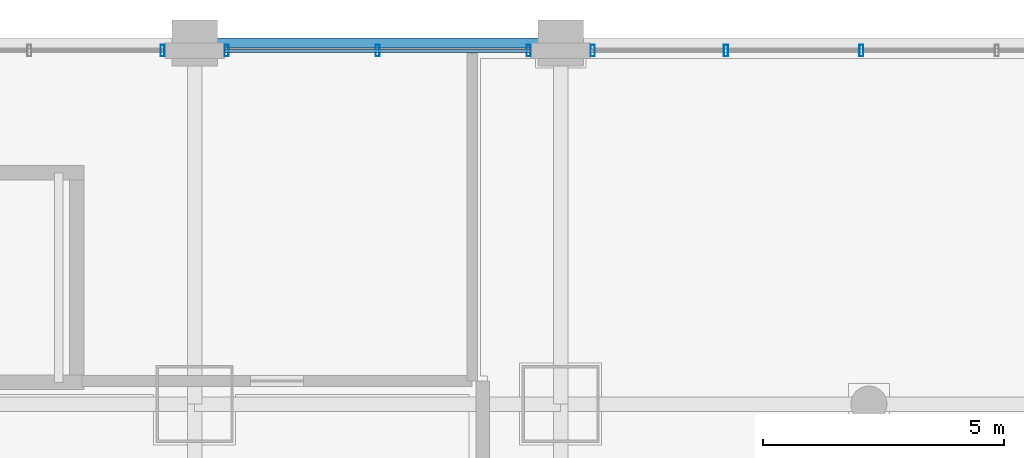
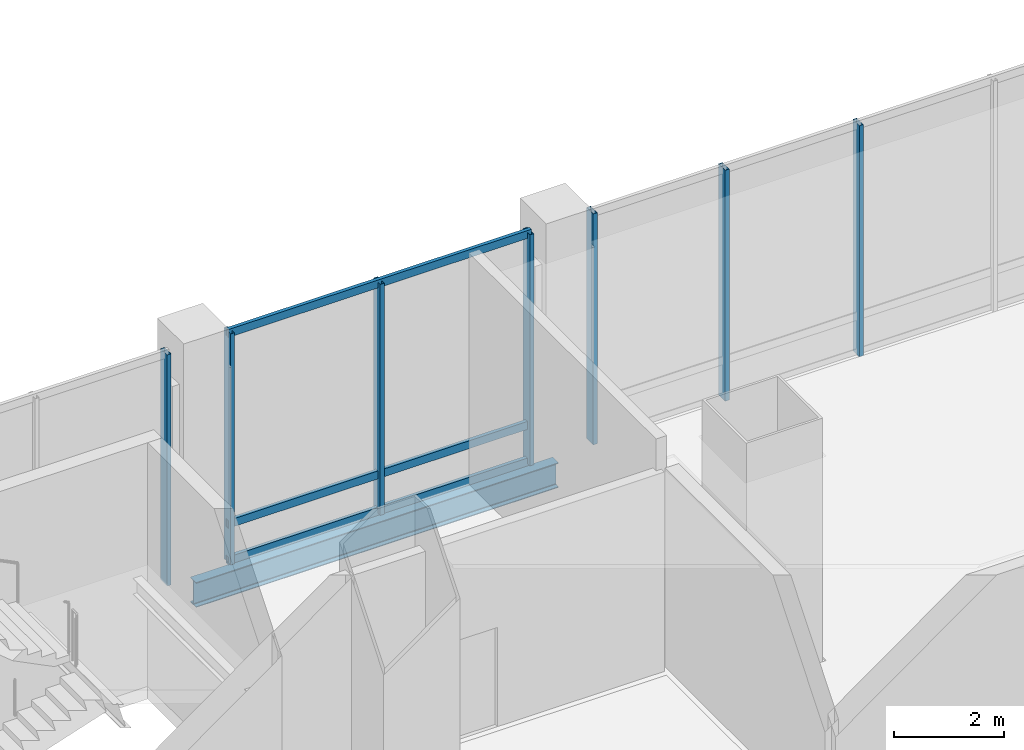
# One storey, part 16 of 39: 10 members, 1 beam, 3 elements without a shape of their own.
"""IFC4 building model written with IfcOpenShell, lengths in metres."""

from ifc_helpers import new_model, si_unit, direction, frame, origin, origin_2d, place, context, subcontext, project, spatial, hollow_rectangle, i_section, extrude, material, material_profile, profile_set, type_object, element, aggregate, save


model = new_model("IFC4")

# Units and contexts
model_context = context("Model", 3, precision=1e-05, world=origin(), true_north=direction((0.0, 1.0)))
body_context = subcontext(model_context, "Body", "Model", "MODEL_VIEW")
ifc_project = project(units=[si_unit("LENGTHUNIT", "METRE"), si_unit("AREAUNIT", "SQUARE_METRE"), si_unit("VOLUMEUNIT", "CUBIC_METRE"), si_unit("PLANEANGLEUNIT", "RADIAN"), si_unit("MASSUNIT", "GRAM", prefix="KILO")], contexts=[model_context])

# Site, building, storey
site_placement = place(None, origin())
site = spatial("IfcSite", under=ifc_project, at=site_placement, CompositionType="ELEMENT")
building_placement = place(site_placement, origin())
building = spatial("IfcBuilding", under=site, at=building_placement, Name="Punatoya Terracotta Tower", CompositionType="ELEMENT")
storey_placement = place(building_placement, frame((0.0, 0.0, 11.39990234375)))
storey = spatial("IfcBuildingStorey", under=building, at=storey_placement, Name="L02", CompositionType="ELEMENT", Elevation=11.39990234375)

# Beam
ifc_material_1 = material(Name="Steel S355", Category="steel")
ifc_material_profile_1 = material_profile(ifc_material_1, i_section(OverallWidth=0.2099609375, OverallDepth=0.550048828125, WebThickness=0.010986328125, FlangeThickness=0.01708984375, FilletRadius=0.01806640625, at=origin_2d()))
ifc_profile_set_1 = profile_set([ifc_material_profile_1], Name="Steel S355")
beam_type = type_object("IfcBeamType", Name="BM-SPN-550", PredefinedType="SPANDREL", material=ifc_profile_set_1)
beam_placement = place(storey_placement, frame((-3.800048828125, 25.0, -0.554931640625), z_axis=(1.0, 0.0, 0.0), x_axis=(0.0, 1.0, 0.0)))
element("IfcBeam", 1, at=beam_placement, inside=storey, type_object=beam_type, Name="BM-L02-MIDH-2", PredefinedType="SPANDREL", context=body_context, shape_type="SweptSolid", body=[
    extrude(i_section(OverallWidth=0.2099609375, OverallDepth=0.550048828125, WebThickness=0.010986328125, FlangeThickness=0.01708984375, FilletRadius=0.01806640625, at=origin_2d()), origin(), (0.0, 0.0, 1.0), 7.60009765625),
])

# Curtain wall, member
ifc_material_2 = material(Name="Aluminium 6063-T6 + Double Low-E Glass", Category="aluminium")
curtain_wall_type = type_object("IfcCurtainWallType", Name="CW-POD", PredefinedType="NOTDEFINED", material=ifc_material_2)
curtain_wall_1_placement = place(storey_placement, origin())
curtain_wall_1 = element("IfcCurtainWall", 2, at=curtain_wall_1_placement, inside=storey, type_object=curtain_wall_type, Name="L02 Curtain Wall CWP-L02-N3", PredefinedType="NOTDEFINED")
ifc_material_3 = material(Name="Aluminium 6063-T6", Category="aluminium")
ifc_material_profile_2 = material_profile(ifc_material_3, hollow_rectangle(XDim=0.0849609375, YDim=0.239990234375, WallThickness=0.0048828125, at=origin_2d()))
ifc_profile_set_2 = profile_set([ifc_material_profile_2], Name="Aluminium 6063-T6")
member_type_1 = type_object("IfcMemberType", Name="CW-MUL-POD", PredefinedType="MULLION", material=ifc_profile_set_2)
member_1_placement = place(storey_placement, frame((-4.465087890625, 24.840087890625, 0.0), z_axis=(0.0, 0.0, 1.0), x_axis=(1.0, 0.0, 0.0)))
member_1 = element("IfcMember", 3, at=member_1_placement, type_object=member_type_1, Name="CWP-L02-N3 Mullion 00", PredefinedType="MULLION", context=body_context, shape_type="SweptSolid", body=[
    extrude(hollow_rectangle(XDim=0.0849609375, YDim=0.239990234375, WallThickness=0.0048828125, at=origin_2d()), origin(), (0.0, 0.0, 1.0), 5.1201171875),
])
aggregate(curtain_wall_1, [member_1])

# Curtain wall, members
curtain_wall_2_placement = place(storey_placement, origin())
curtain_wall_2 = element("IfcCurtainWall", 4, at=curtain_wall_2_placement, inside=storey, type_object=curtain_wall_type, Name="L02 Curtain Wall CWP-L02-N4", PredefinedType="NOTDEFINED")
member_2_placement = place(storey_placement, frame((3.135009765625, 24.840087890625, 0.0), z_axis=(0.0, 0.0, 1.0), x_axis=(1.0, 0.0, 0.0)))
member_2 = element("IfcMember", 5, at=member_2_placement, type_object=member_type_1, Name="CWP-L02-N4 Mullion 00", PredefinedType="MULLION", context=body_context, shape_type="SweptSolid", body=[
    extrude(hollow_rectangle(XDim=0.0849609375, YDim=0.239990234375, WallThickness=0.0048828125, at=origin_2d()), origin(), (0.0, 0.0, 1.0), 5.1201171875),
])
member_3_placement = place(storey_placement, frame((0.0, 24.840087890625, 0.0), z_axis=(0.0, 0.0, 1.0), x_axis=(1.0, 0.0, 0.0)))
member_3 = element("IfcMember", 6, at=member_3_placement, type_object=member_type_1, Name="CWP-L02-N4 Mullion 01", PredefinedType="MULLION", context=body_context, shape_type="SweptSolid", body=[
    extrude(hollow_rectangle(XDim=0.0849609375, YDim=0.239990234375, WallThickness=0.0048828125, at=origin_2d()), origin(), (0.0, 0.0, 1.0), 5.1201171875),
])
member_4_placement = place(storey_placement, frame((-3.135009765625, 24.840087890625, 0.0), z_axis=(0.0, 0.0, 1.0), x_axis=(1.0, 0.0, 0.0)))
member_4 = element("IfcMember", 7, at=member_4_placement, type_object=member_type_1, Name="CWP-L02-N4 Mullion 02", PredefinedType="MULLION", context=body_context, shape_type="SweptSolid", body=[
    extrude(hollow_rectangle(XDim=0.0849609375, YDim=0.239990234375, WallThickness=0.0048828125, at=origin_2d()), origin(), (0.0, 0.0, 1.0), 5.1201171875),
])

curtain_wall_3_placement = place(storey_placement, origin())
curtain_wall_3 = element("IfcCurtainWall", 8, at=curtain_wall_3_placement, inside=storey, type_object=curtain_wall_type, Name="L02 Curtain Wall CWP-L02-N5", PredefinedType="NOTDEFINED")
member_5_placement = place(storey_placement, frame((10.0439453125, 24.840087890625, 0.0), z_axis=(0.0, 0.0, 1.0), x_axis=(1.0, 0.0, 0.0)))
member_5 = element("IfcMember", 9, at=member_5_placement, type_object=member_type_1, Name="CWP-L02-N5 Mullion 03", PredefinedType="MULLION", context=body_context, shape_type="SweptSolid", body=[
    extrude(hollow_rectangle(XDim=0.0849609375, YDim=0.239990234375, WallThickness=0.0048828125, at=origin_2d()), origin(), (0.0, 0.0, 1.0), 5.1201171875),
])
member_6_placement = place(storey_placement, frame((7.23193359375, 24.840087890625, 0.0), z_axis=(0.0, 0.0, 1.0), x_axis=(1.0, 0.0, 0.0)))
member_6 = element("IfcMember", 10, at=member_6_placement, type_object=member_type_1, Name="CWP-L02-N5 Mullion 04", PredefinedType="MULLION", context=body_context, shape_type="SweptSolid", body=[
    extrude(hollow_rectangle(XDim=0.0849609375, YDim=0.239990234375, WallThickness=0.0048828125, at=origin_2d()), origin(), (0.0, 0.0, 1.0), 5.1201171875),
])
member_7_placement = place(storey_placement, frame((4.465087890625, 24.840087890625, 0.0), z_axis=(0.0, 0.0, 1.0), x_axis=(1.0, 0.0, 0.0)))
member_7 = element("IfcMember", 11, at=member_7_placement, type_object=member_type_1, Name="CWP-L02-N5 Mullion 05", PredefinedType="MULLION", context=body_context, shape_type="SweptSolid", body=[
    extrude(hollow_rectangle(XDim=0.0849609375, YDim=0.239990234375, WallThickness=0.0048828125, at=origin_2d()), origin(), (0.0, 0.0, 1.0), 5.1201171875),
])
aggregate(curtain_wall_3, [member_5, member_6, member_7])

# Member
ifc_material_profile_3 = material_profile(ifc_material_3, hollow_rectangle(XDim=0.074951171875, YDim=0.175048828125, WallThickness=0.00439453125, at=origin_2d()))
ifc_profile_set_3 = profile_set([ifc_material_profile_3], Name="Aluminium 6063-T6")
member_type_2 = type_object("IfcMemberType", Name="CW-TRN-POD", PredefinedType="USERDEFINED", material=ifc_profile_set_3)
member_8_placement = place(storey_placement, frame((3.179931640625, 24.840087890625, 0.0400390625), z_axis=(-1.0, 0.0, 0.0), x_axis=(0.0, -1.0, 0.0)))
member_8 = element("IfcMember", 12, at=member_8_placement, type_object=member_type_2, Name="CWP-L02-N4 Transom 1", ObjectType="TRANSOM", PredefinedType="USERDEFINED", context=body_context, shape_type="SweptSolid", body=[
    extrude(hollow_rectangle(XDim=0.074951171875, YDim=0.175048828125, WallThickness=0.00439453125, at=origin_2d()), origin(), (0.0, 0.0, 1.0), 6.35986328125),
])

member_9_placement = place(storey_placement, frame((3.179931640625, 24.840087890625, 0.85009765625), z_axis=(-1.0, 0.0, 0.0), x_axis=(0.0, -1.0, 0.0)))
member_9 = element("IfcMember", 13, at=member_9_placement, type_object=member_type_2, Name="CWP-L02-N4 Transom 2", ObjectType="TRANSOM", PredefinedType="USERDEFINED", context=body_context, shape_type="SweptSolid", body=[
    extrude(hollow_rectangle(XDim=0.074951171875, YDim=0.175048828125, WallThickness=0.00439453125, at=origin_2d()), origin(), (0.0, 0.0, 1.0), 6.35986328125),
])

member_10_placement = place(storey_placement, frame((3.179931640625, 24.840087890625, 5.080078125), z_axis=(-1.0, 0.0, 0.0), x_axis=(0.0, -1.0, 0.0)))
member_10 = element("IfcMember", 14, at=member_10_placement, type_object=member_type_2, Name="CWP-L02-N4 Transom 3", ObjectType="TRANSOM", PredefinedType="USERDEFINED", context=body_context, shape_type="SweptSolid", body=[
    extrude(hollow_rectangle(XDim=0.074951171875, YDim=0.175048828125, WallThickness=0.00439453125, at=origin_2d()), origin(), (0.0, 0.0, 1.0), 6.35986328125),
])

aggregate(curtain_wall_2, [member_2, member_3, member_4, member_8, member_9, member_10])

save(model, "model.ifc")
